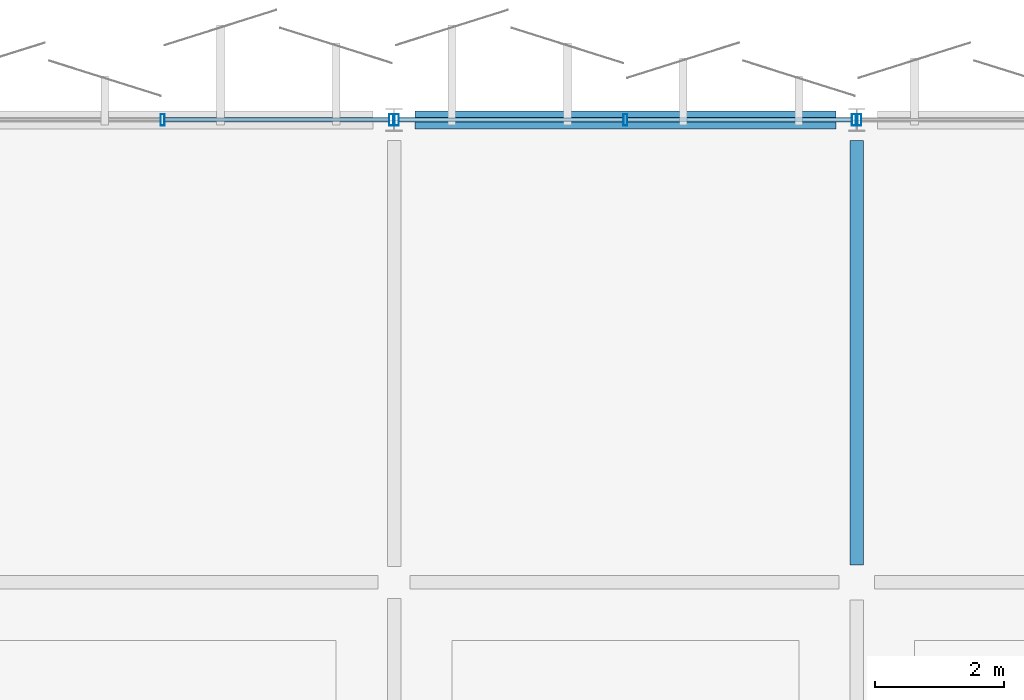
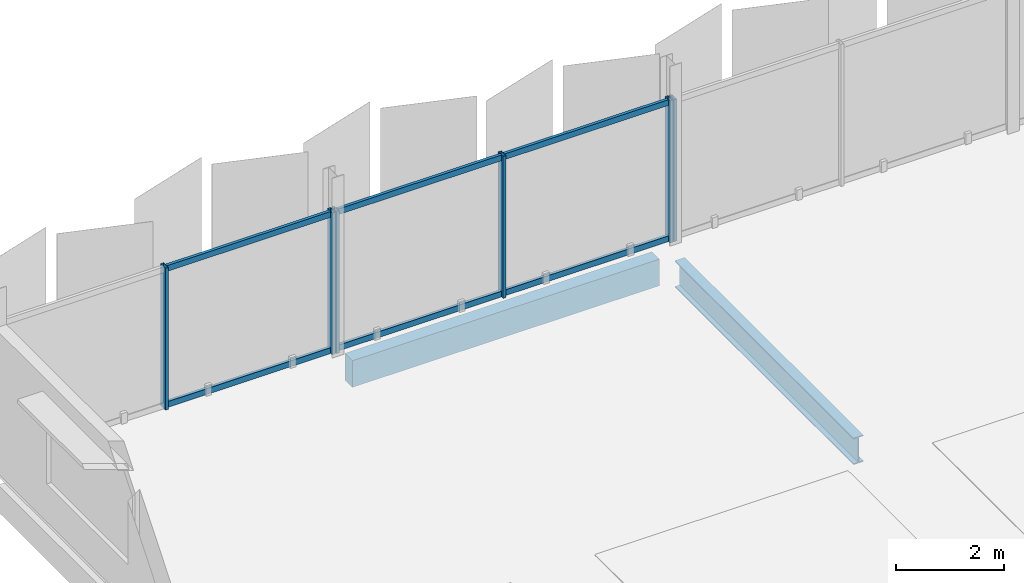
# One storey, part 32 of 91: 12 members, 2 beams, 3 elements without a shape of their own.
"""IFC4 building model written with IfcOpenShell, lengths in metres."""

from ifc_helpers import new_model, si_unit, direction, frame, origin, origin_2d, place, context, subcontext, project, spatial, rectangle, hollow_rectangle, i_section, extrude, material, layer, layer_set, material_profile, profile_set, type_object, element, aggregate, save


model = new_model("IFC4")

# Units and contexts
model_context = context("Model", 3, precision=1e-05, world=origin(), true_north=direction((0.0, 1.0)))
body_context = subcontext(model_context, "Body", "Model", "MODEL_VIEW")
ifc_project = project(units=[si_unit("LENGTHUNIT", "METRE"), si_unit("AREAUNIT", "SQUARE_METRE"), si_unit("VOLUMEUNIT", "CUBIC_METRE"), si_unit("PLANEANGLEUNIT", "RADIAN"), si_unit("MASSUNIT", "GRAM", prefix="KILO")], contexts=[model_context])

# Site, building, storey
site_placement = place(None, origin())
site = spatial("IfcSite", under=ifc_project, at=site_placement, CompositionType="ELEMENT")
building_placement = place(site_placement, origin())
building = spatial("IfcBuilding", under=site, at=building_placement, Name="Kangsadwip Square Police Headquarters", CompositionType="ELEMENT")
storey_placement = place(building_placement, frame((0.0, 0.0, 13.5)))
storey = spatial("IfcBuildingStorey", under=building, at=storey_placement, Name="L03", CompositionType="ELEMENT", Elevation=13.5)

# Curtain wall, members
ifc_material_1 = material(Name="Thermally broken anodised aluminium AW-6063-T6", Category="aluminium")
ifc_layer = layer(ifc_material_1, 0.159912109375)
ifc_layer_set = layer_set([ifc_layer], Name="Thermally broken anodised aluminium AW-6063-T6")
curtain_wall_type = type_object("IfcCurtainWallType", Name="UnitisedCw7180x3200", PredefinedType="NOTDEFINED", material=ifc_layer_set)
curtain_wall_1_placement = place(storey_placement, origin())
curtain_wall_1 = element("IfcCurtainWall", 1, at=curtain_wall_1_placement, inside=storey, type_object=curtain_wall_type, Name="Curtain Wall CW-L03-0936-1152", PredefinedType="NOTDEFINED")
ifc_material_2 = material(Name="Thermally broken anodised aluminium AW-6063-T6", Category="aluminium")
ifc_material_profile_1 = material_profile(ifc_material_2, hollow_rectangle(XDim=0.06494140625, YDim=0.179931640625, WallThickness=0.00390625, at=origin_2d()), Name="CWM 180X65X4")
ifc_profile_set_1 = profile_set([ifc_material_profile_1], Name="Thermally broken anodised aluminium AW-6063-T6")
member_type_1 = type_object("IfcMemberType", Name="CwMullion160x65", PredefinedType="MULLION", material=ifc_profile_set_1)
member_1_placement = place(storey_placement, frame((97.199951171875, 115.199951171875, 0.0), z_axis=(0.0, 0.0, 1.0), x_axis=(1.0, 0.0, 0.0)))
member_1 = element("IfcMember", 2, at=member_1_placement, type_object=member_type_1, Name="CW-38 mullion 2", PredefinedType="MULLION", context=body_context, shape_type="SweptSolid", body=[
    extrude(hollow_rectangle(XDim=0.06494140625, YDim=0.179931640625, WallThickness=0.00390625, at=origin_2d()), origin(), (0.0, 0.0, 1.0), 3.199951171875),
])
member_2_placement = place(storey_placement, frame((100.757568359375, 115.199951171875, 0.0), z_axis=(0.0, 0.0, 1.0), x_axis=(1.0, 0.0, 0.0)))
member_2 = element("IfcMember", 3, at=member_2_placement, type_object=member_type_1, Name="CW-38 mullion 3", PredefinedType="MULLION", context=body_context, shape_type="SweptSolid", body=[
    extrude(hollow_rectangle(XDim=0.06494140625, YDim=0.179931640625, WallThickness=0.00390625, at=origin_2d()), origin(), (0.0, 0.0, 1.0), 3.199951171875),
])

curtain_wall_2_placement = place(storey_placement, origin())
curtain_wall_2 = element("IfcCurtainWall", 4, at=curtain_wall_2_placement, inside=storey, type_object=curtain_wall_type, Name="Curtain Wall CW-L03-1008-1152", PredefinedType="NOTDEFINED")
member_3_placement = place(storey_placement, frame((100.842529296875, 115.199951171875, 0.0), z_axis=(0.0, 0.0, 1.0), x_axis=(1.0, 0.0, 0.0)))
member_3 = element("IfcMember", 5, at=member_3_placement, type_object=member_type_1, Name="CW-38 mullion 1", PredefinedType="MULLION", context=body_context, shape_type="SweptSolid", body=[
    extrude(hollow_rectangle(XDim=0.06494140625, YDim=0.179931640625, WallThickness=0.00390625, at=origin_2d()), origin(), (0.0, 0.0, 1.0), 3.199951171875),
])
member_4_placement = place(storey_placement, frame((104.39990234375, 115.199951171875, 0.0), z_axis=(0.0, 0.0, 1.0), x_axis=(1.0, 0.0, 0.0)))
member_4 = element("IfcMember", 6, at=member_4_placement, type_object=member_type_1, Name="CW-38 mullion 2", PredefinedType="MULLION", context=body_context, shape_type="SweptSolid", body=[
    extrude(hollow_rectangle(XDim=0.06494140625, YDim=0.179931640625, WallThickness=0.00390625, at=origin_2d()), origin(), (0.0, 0.0, 1.0), 3.199951171875),
])
member_5_placement = place(storey_placement, frame((107.95751953125, 115.199951171875, 0.0), z_axis=(0.0, 0.0, 1.0), x_axis=(1.0, 0.0, 0.0)))
member_5 = element("IfcMember", 7, at=member_5_placement, type_object=member_type_1, Name="CW-38 mullion 3", PredefinedType="MULLION", context=body_context, shape_type="SweptSolid", body=[
    extrude(hollow_rectangle(XDim=0.06494140625, YDim=0.179931640625, WallThickness=0.00390625, at=origin_2d()), origin(), (0.0, 0.0, 1.0), 3.199951171875),
])

# Curtain wall, member
curtain_wall_3_placement = place(storey_placement, origin())
curtain_wall_3 = element("IfcCurtainWall", 8, at=curtain_wall_3_placement, inside=storey, type_object=curtain_wall_type, Name="Curtain Wall CW-L03-1080-1152", PredefinedType="NOTDEFINED")
member_6_placement = place(storey_placement, frame((108.04248046875, 115.199951171875, 0.0), z_axis=(0.0, 0.0, 1.0), x_axis=(1.0, 0.0, 0.0)))
member_6 = element("IfcMember", 9, at=member_6_placement, type_object=member_type_1, Name="CW-38 mullion 1", PredefinedType="MULLION", context=body_context, shape_type="SweptSolid", body=[
    extrude(hollow_rectangle(XDim=0.06494140625, YDim=0.179931640625, WallThickness=0.00390625, at=origin_2d()), origin(), (0.0, 0.0, 1.0), 3.199951171875),
])
aggregate(curtain_wall_3, [member_6])

# Member
ifc_material_3 = material(Name="Thermally broken anodised aluminium AW-6063-T6", Category="aluminium")
ifc_material_profile_2 = material_profile(ifc_material_3, hollow_rectangle(XDim=0.06494140625, YDim=0.1298828125, WallThickness=0.00390625, at=origin_2d()), Name="CWT 130X65X4")
ifc_profile_set_2 = profile_set([ifc_material_profile_2], Name="Thermally broken anodised aluminium AW-6063-T6")
member_type_2 = type_object("IfcMemberType", Name="CwTransom140x60", PredefinedType="USERDEFINED", material=ifc_profile_set_2)
member_7_placement = place(storey_placement, frame((97.232421875, 115.199951171875, 0.06494140625), z_axis=(1.0, 0.0, 0.0), x_axis=(0.0, 1.0, 0.0)))
member_7 = element("IfcMember", 10, at=member_7_placement, type_object=member_type_2, Name="CW-38 transom 2.1", ObjectType="TRANSOM", PredefinedType="USERDEFINED", context=body_context, shape_type="SweptSolid", body=[
    extrude(hollow_rectangle(XDim=0.06494140625, YDim=0.1298828125, WallThickness=0.00390625, at=origin_2d()), origin(), (0.0, 0.0, 1.0), 3.49267578125),
])

member_8_placement = place(storey_placement, frame((97.232421875, 115.199951171875, 3.135009765625), z_axis=(1.0, 0.0, 0.0), x_axis=(0.0, 1.0, 0.0)))
member_8 = element("IfcMember", 11, at=member_8_placement, type_object=member_type_2, Name="CW-38 transom 2.2", ObjectType="TRANSOM", PredefinedType="USERDEFINED", context=body_context, shape_type="SweptSolid", body=[
    extrude(hollow_rectangle(XDim=0.06494140625, YDim=0.1298828125, WallThickness=0.00390625, at=origin_2d()), origin(), (0.0, 0.0, 1.0), 3.49267578125),
])

aggregate(curtain_wall_1, [member_1, member_2, member_7, member_8])

member_9_placement = place(storey_placement, frame((100.875, 115.199951171875, 0.06494140625), z_axis=(1.0, 0.0, 0.0), x_axis=(0.0, 1.0, 0.0)))
member_9 = element("IfcMember", 12, at=member_9_placement, type_object=member_type_2, Name="CW-38 transom 1.1", ObjectType="TRANSOM", PredefinedType="USERDEFINED", context=body_context, shape_type="SweptSolid", body=[
    extrude(hollow_rectangle(XDim=0.06494140625, YDim=0.1298828125, WallThickness=0.00390625, at=origin_2d()), origin(), (0.0, 0.0, 1.0), 3.492431640625),
])

member_10_placement = place(storey_placement, frame((100.875, 115.199951171875, 3.135009765625), z_axis=(1.0, 0.0, 0.0), x_axis=(0.0, 1.0, 0.0)))
member_10 = element("IfcMember", 13, at=member_10_placement, type_object=member_type_2, Name="CW-38 transom 1.2", ObjectType="TRANSOM", PredefinedType="USERDEFINED", context=body_context, shape_type="SweptSolid", body=[
    extrude(hollow_rectangle(XDim=0.06494140625, YDim=0.1298828125, WallThickness=0.00390625, at=origin_2d()), origin(), (0.0, 0.0, 1.0), 3.492431640625),
])

member_11_placement = place(storey_placement, frame((104.4326171875, 115.199951171875, 0.06494140625), z_axis=(1.0, 0.0, 0.0), x_axis=(0.0, 1.0, 0.0)))
member_11 = element("IfcMember", 14, at=member_11_placement, type_object=member_type_2, Name="CW-38 transom 2.1", ObjectType="TRANSOM", PredefinedType="USERDEFINED", context=body_context, shape_type="SweptSolid", body=[
    extrude(hollow_rectangle(XDim=0.06494140625, YDim=0.1298828125, WallThickness=0.00390625, at=origin_2d()), origin(), (0.0, 0.0, 1.0), 3.492431640625),
])

member_12_placement = place(storey_placement, frame((104.4326171875, 115.199951171875, 3.135009765625), z_axis=(1.0, 0.0, 0.0), x_axis=(0.0, 1.0, 0.0)))
member_12 = element("IfcMember", 15, at=member_12_placement, type_object=member_type_2, Name="CW-38 transom 2.2", ObjectType="TRANSOM", PredefinedType="USERDEFINED", context=body_context, shape_type="SweptSolid", body=[
    extrude(hollow_rectangle(XDim=0.06494140625, YDim=0.1298828125, WallThickness=0.00390625, at=origin_2d()), origin(), (0.0, 0.0, 1.0), 3.492431640625),
])

aggregate(curtain_wall_2, [member_3, member_4, member_5, member_9, member_10, member_11, member_12])

# Beams
ifc_material_4 = material(Name="Concrete M40 (40 MPa)", Category="concrete")
ifc_material_profile_3 = material_profile(ifc_material_4, rectangle(XDim=0.280029296875, YDim=0.60009765625, at=origin_2d()), Name="RC SPN 600X280")
ifc_profile_set_3 = profile_set([ifc_material_profile_3], Name="Concrete M40 (40 MPa)")
beam_type_1 = type_object("IfcBeamType", Name="RcSpandrel600x280", PredefinedType="SPANDREL", material=ifc_profile_set_3)
beam_1_placement = place(storey_placement, frame((101.125, 115.199951171875, -0.5400390625), z_axis=(1.0, 0.0, 0.0), x_axis=(0.0, 1.0, 0.0)))
element("IfcBeam", 16, at=beam_1_placement, inside=storey, type_object=beam_type_1, Name="Beam BM-L03-X-14-16", PredefinedType="SPANDREL", context=body_context, shape_type="SweptSolid", body=[
    extrude(rectangle(XDim=0.280029296875, YDim=0.60009765625, at=origin_2d()), origin(), (0.0, 0.0, 1.0), 6.550048828125),
])
ifc_material_5 = material(Name="Structural steel IS 2062 E350 (Grade 350, 350 MPa)", Category="steel")
ifc_material_profile_4 = material_profile(ifc_material_5, i_section(OverallWidth=0.2099609375, OverallDepth=0.60009765625, WebThickness=0.011962890625, FlangeThickness=0.020751953125, at=origin_2d()), Name="ISMB 600")
ifc_profile_set_4 = profile_set([ifc_material_profile_4], Name="Structural steel IS 2062 E350 (Grade 350, 350 MPa)")
beam_type_2 = type_object("IfcBeamType", Name="SteelBeamIsmb600", PredefinedType="BEAM", material=ifc_profile_set_4)
beam_2_placement = place(storey_placement, frame((108.0, 108.27490234375, -0.5400390625), z_axis=(0.0, 1.0, 0.0), x_axis=(-1.0, 0.0, 0.0)))
element("IfcBeam", 17, at=beam_2_placement, inside=storey, type_object=beam_type_2, Name="Beam BM-L03-Y-15-15", PredefinedType="BEAM", context=body_context, shape_type="SweptSolid", body=[
    extrude(i_section(OverallWidth=0.2099609375, OverallDepth=0.60009765625, WebThickness=0.011962890625, FlangeThickness=0.020751953125, at=origin_2d()), origin(), (0.0, 0.0, 1.0), 6.60009765625),
])

save(model, "model.ifc")
